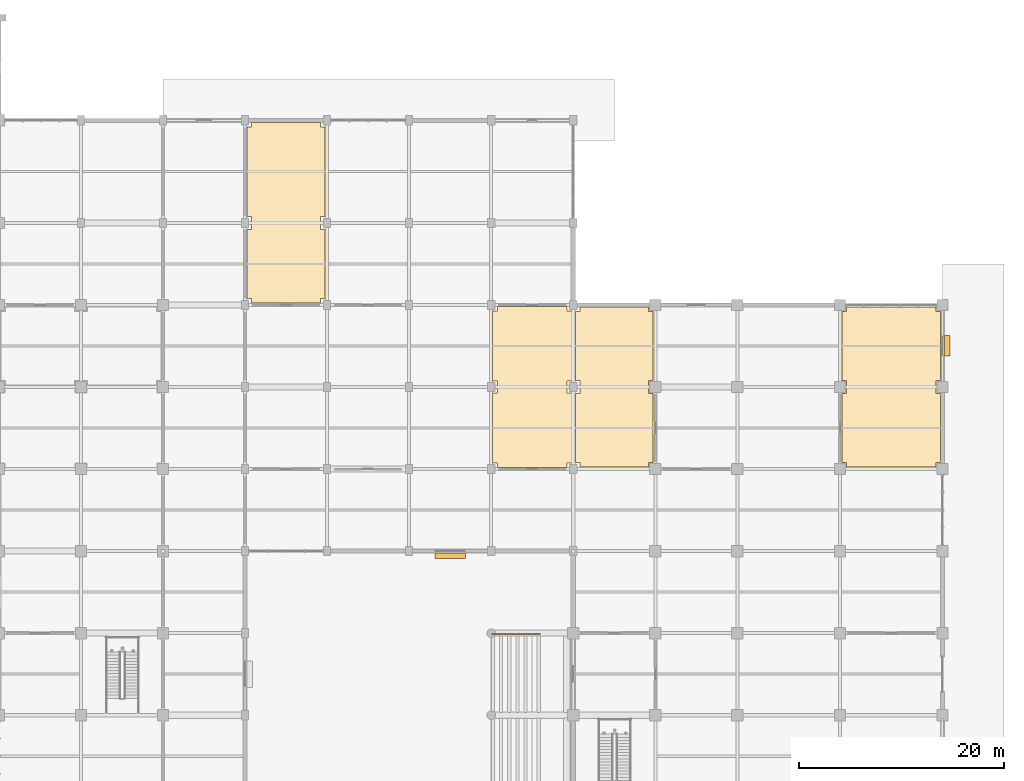
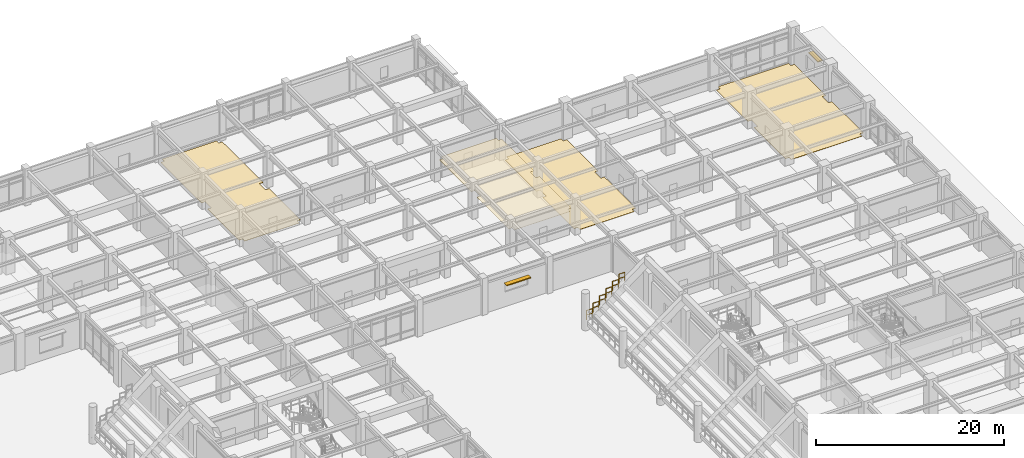
# One storey, part 124 of 125: 6 railings, 4 coverings, 2 shading devices.
"""IFC4 building model written with IfcOpenShell, lengths in metres."""

from ifc_helpers import new_model, si_unit, direction, frame, origin, origin_2d, place, context, subcontext, project, spatial, polyline, rectangle, circle, outline, extrude, material, layer, layer_set, type_object, element, save


model = new_model("IFC4")

# Units and contexts
model_context = context("Model", 3, precision=1e-05, world=origin(), true_north=direction((0.0, 1.0)))
body_context = subcontext(model_context, "Body", "Model", "MODEL_VIEW")
ifc_project = project(units=[si_unit("LENGTHUNIT", "METRE"), si_unit("AREAUNIT", "SQUARE_METRE"), si_unit("VOLUMEUNIT", "CUBIC_METRE"), si_unit("PLANEANGLEUNIT", "RADIAN"), si_unit("MASSUNIT", "GRAM", prefix="KILO")], contexts=[model_context])

# Site, building, storey
site_placement = place(None, origin())
site = spatial("IfcSite", under=ifc_project, at=site_placement, CompositionType="ELEMENT")
building_placement = place(site_placement, origin())
building = spatial("IfcBuilding", under=site, at=building_placement, Name="Haebicheon Civic Stadium", CompositionType="ELEMENT")
storey_placement = place(building_placement, origin())
storey = spatial("IfcBuildingStorey", under=building, at=storey_placement, Name="L01", CompositionType="ELEMENT", Elevation=0.0)

# Coverings
ifc_material_1 = material(Name="Perforated mineral-fibre acoustic board", Category="gypsum")
ifc_layer_1 = layer(ifc_material_1, 0.0400390625, Name="Perforated mineral-fibre acoustic board")
ifc_layer_set_1 = layer_set([ifc_layer_1], Name="Perforated mineral-fibre acoustic board")
covering_type_1 = type_object("IfcCoveringType", Name="COV-CLG-AC", PredefinedType="CEILING", material=ifc_layer_set_1)
covering_1_placement = place(storey_placement, frame((0.0, 0.0, 2.81005859375)))
element("IfcCovering", 1, at=covering_1_placement, inside=storey, type_object=covering_type_1, material=ifc_layer_set_1, Name="L01 Main Spectator Concourse acoustic ceiling", PredefinedType="CEILING", context=body_context, shape_type="SweptSolid", body=[
    extrude(outline(polyline([(192.594970703125, 144.14501953125), (192.594970703125, 144.594970703125), (192.14501953125, 144.594970703125), (192.14501953125, 151.405029296875), (192.594970703125, 151.405029296875), (192.594970703125, 152.594970703125), (192.14501953125, 152.594970703125), (192.14501953125, 159.405029296875), (192.594970703125, 159.405029296875), (192.594970703125, 159.85498046875), (199.405029296875, 159.85498046875), (199.405029296875, 159.405029296875), (199.85498046875, 159.405029296875), (199.85498046875, 152.594970703125), (199.405029296875, 152.594970703125), (199.405029296875, 151.405029296875), (199.85498046875, 151.405029296875), (199.85498046875, 144.594970703125), (199.405029296875, 144.594970703125), (199.405029296875, 144.14501953125), (192.594970703125, 144.14501953125)])), origin(), (0.0, 0.0, 1.0), 0.0400390625),
])
ifc_material_2 = material(Name="Quartz epoxy resin mortar", Category="concrete")
ifc_layer_2 = layer(ifc_material_2, 0.030029296875, Name="Quartz epoxy resin mortar")
ifc_layer_set_2 = layer_set([ifc_layer_2], Name="Quartz epoxy resin mortar")
covering_type_2 = type_object("IfcCoveringType", Name="COV-FLR-EPX", PredefinedType="FLOORING", material=ifc_layer_set_2)
covering_2_placement = place(storey_placement, origin())
element("IfcCovering", 2, at=covering_2_placement, inside=storey, type_object=covering_type_2, material=ifc_layer_set_2, Name="L01 Community Athletics Reception non-slip floor finish", PredefinedType="FLOORING", context=body_context, shape_type="SweptSolid", body=[
    extrude(outline(polyline([(200.64990234375, 144.199951171875), (200.64990234375, 144.64990234375), (200.199951171875, 144.64990234375), (200.199951171875, 151.35009765625), (200.64990234375, 151.35009765625), (200.64990234375, 152.64990234375), (200.199951171875, 152.64990234375), (200.199951171875, 159.35009765625), (200.64990234375, 159.35009765625), (200.64990234375, 159.800048828125), (207.35009765625, 159.800048828125), (207.35009765625, 159.35009765625), (207.800048828125, 159.35009765625), (207.800048828125, 152.64990234375), (207.35009765625, 152.64990234375), (207.35009765625, 151.35009765625), (207.800048828125, 151.35009765625), (207.800048828125, 144.64990234375), (207.35009765625, 144.64990234375), (207.35009765625, 144.199951171875), (200.64990234375, 144.199951171875)])), origin(), (0.0, 0.0, 1.0), 0.030029296875),
])
covering_3_placement = place(storey_placement, origin())
element("IfcCovering", 3, at=covering_3_placement, inside=storey, type_object=covering_type_2, material=ifc_layer_set_2, Name="L01 Sports Medicine Clinic non-slip floor finish", PredefinedType="FLOORING", context=body_context, shape_type="SweptSolid", body=[
    extrude(outline(polyline([(226.64990234375, 144.199951171875), (226.64990234375, 144.64990234375), (226.199951171875, 144.64990234375), (226.199951171875, 151.35009765625), (226.64990234375, 151.35009765625), (226.64990234375, 152.64990234375), (226.199951171875, 152.64990234375), (226.199951171875, 159.35009765625), (226.64990234375, 159.35009765625), (226.64990234375, 159.800048828125), (235.35009765625, 159.800048828125), (235.35009765625, 159.35009765625), (235.800048828125, 159.35009765625), (235.800048828125, 152.64990234375), (235.35009765625, 152.64990234375), (235.35009765625, 151.35009765625), (235.800048828125, 151.35009765625), (235.800048828125, 144.64990234375), (235.35009765625, 144.64990234375), (235.35009765625, 144.199951171875), (226.64990234375, 144.199951171875)])), origin(), (0.0, 0.0, 1.0), 0.030029296875),
])
covering_4_placement = place(storey_placement, origin())
element("IfcCovering", 4, at=covering_4_placement, inside=storey, type_object=covering_type_2, material=ifc_layer_set_2, Name="L01 Civic Sports Exhibition Gallery non-slip floor finish", PredefinedType="FLOORING", context=body_context, shape_type="SweptSolid", body=[
    extrude(outline(polyline([(168.64990234375, 160.199951171875), (168.64990234375, 160.64990234375), (168.199951171875, 160.64990234375), (168.199951171875, 167.35009765625), (168.64990234375, 167.35009765625), (168.64990234375, 168.64990234375), (168.199951171875, 168.64990234375), (168.199951171875, 177.35009765625), (168.64990234375, 177.35009765625), (168.64990234375, 177.800048828125), (175.35009765625, 177.800048828125), (175.35009765625, 177.35009765625), (175.800048828125, 177.35009765625), (175.800048828125, 168.64990234375), (175.35009765625, 168.64990234375), (175.35009765625, 167.35009765625), (175.800048828125, 167.35009765625), (175.800048828125, 160.64990234375), (175.35009765625, 160.64990234375), (175.35009765625, 160.199951171875), (168.64990234375, 160.199951171875)])), origin(), (0.0, 0.0, 1.0), 0.030029296875),
])

# Railings
ifc_material_3 = material(Name="Stainless steel 316 and laminated glass", Category="steel")
railing_type = type_object("IfcRailingType", Name="RL-BAL-1200", PredefinedType="BALUSTRADE", material=ifc_material_3)
for number, where, name in (
    (5, (192.0400390625, 127.89990234375, 1.199951171875), "TIER-C-L end-aisle side guard N.1"),
    (6, (192.840087890625, 127.89990234375, 1.866943359375), "TIER-C-L end-aisle side guard N.2"),
):
    element("IfcRailing", number, at=place(storey_placement, frame(where)), inside=storey, type_object=railing_type, material=ifc_material_3, Name=name, PredefinedType="BALUSTRADE", context=body_context, shape_type="SweptSolid", body=[
        extrude(circle(Radius=0.02392578125, at=origin_2d()), frame((0.0, 0.0, 1.17578125), z_axis=(1.0, 0.0, 0.0), x_axis=(0.0, 1.0, 0.0)), (0.0, 0.0, 1.0), 0.719970703125),
        extrude(circle(Radius=0.02392578125, at=origin_2d()), frame((0.0, 0.0, 0.60009765625), z_axis=(1.0, 0.0, 0.0), x_axis=(0.0, 1.0, 0.0)), (0.0, 0.0, 1.0), 0.719970703125),
        extrude(circle(Radius=0.02099609375, at=origin_2d()), origin(), (0.0, 0.0, 1.0), 1.15185546875),
        extrude(circle(Radius=0.02099609375, at=origin_2d()), frame((0.719970703125, 0.0, 0.0)), (0.0, 0.0, 1.0), 1.15185546875),
    ])
railing_placement = place(storey_placement, frame((193.639892578125, 127.89990234375, 2.532958984375)))
element("IfcRailing", 7, at=railing_placement, inside=storey, type_object=railing_type, material=ifc_material_3, Name="TIER-C-L end-aisle side guard N.3", PredefinedType="BALUSTRADE", context=body_context, shape_type="SweptSolid", body=[
    extrude(circle(Radius=0.02392578125, at=origin_2d()), frame((0.0, 0.0, 1.17578125), z_axis=(1.0, 0.0, 0.0), x_axis=(0.0, 1.0, 0.0)), (0.0, 0.0, 1.0), 0.72021484375),
    extrude(circle(Radius=0.02392578125, at=origin_2d()), frame((0.0, 0.0, 0.60009765625), z_axis=(1.0, 0.0, 0.0), x_axis=(0.0, 1.0, 0.0)), (0.0, 0.0, 1.0), 0.72021484375),
    extrude(circle(Radius=0.02099609375, at=origin_2d()), origin(), (0.0, 0.0, 1.0), 1.15185546875),
    extrude(circle(Radius=0.02099609375, at=origin_2d()), frame((0.72021484375, 0.0, 0.0)), (0.0, 0.0, 1.0), 1.15185546875),
])
for number, where, name in (
    (8, (194.43994140625, 127.89990234375, 3.199951171875), "TIER-C-L end-aisle side guard N.4"),
    (9, (195.239990234375, 127.89990234375, 3.866943359375), "TIER-C-L end-aisle side guard N.5"),
    (10, (196.0400390625, 127.89990234375, 4.532958984375), "TIER-C-L end-aisle side guard N.6"),
):
    element("IfcRailing", number, at=place(storey_placement, frame(where)), inside=storey, type_object=railing_type, material=ifc_material_3, Name=name, PredefinedType="BALUSTRADE", context=body_context, shape_type="SweptSolid", body=[
        extrude(circle(Radius=0.02392578125, at=origin_2d()), frame((0.0, 0.0, 1.17578125), z_axis=(1.0, 0.0, 0.0), x_axis=(0.0, 1.0, 0.0)), (0.0, 0.0, 1.0), 0.719970703125),
        extrude(circle(Radius=0.02392578125, at=origin_2d()), frame((0.0, 0.0, 0.60009765625), z_axis=(1.0, 0.0, 0.0), x_axis=(0.0, 1.0, 0.0)), (0.0, 0.0, 1.0), 0.719970703125),
        extrude(circle(Radius=0.02099609375, at=origin_2d()), origin(), (0.0, 0.0, 1.0), 1.15185546875),
        extrude(circle(Radius=0.02099609375, at=origin_2d()), frame((0.719970703125, 0.0, 0.0)), (0.0, 0.0, 1.0), 1.15185546875),
    ])

# Shading devices
ifc_material_4 = material(Name="Anodised aluminium 6063-T6", Category="aluminium")
ifc_layer_3 = layer(ifc_material_4, 0.1201171875, Name="Anodised aluminium 6063-T6")
ifc_layer_set_3 = layer_set([ifc_layer_3], Name="Anodised aluminium 6063-T6")
shading_device_type = type_object("IfcShadingDeviceType", Name="SHD-ALU-LVR", PredefinedType="USERDEFINED", material=ifc_layer_set_3)
shading_device_1_placement = place(storey_placement, frame((188.0, 135.544921875, 3.02001953125), z_axis=(0.0, 0.0, 1.0), x_axis=(1.0, 0.0, 0.0)))
element("IfcShadingDevice", 11, at=shading_device_1_placement, inside=storey, type_object=shading_device_type, material=ifc_layer_set_3, Name="L01 window sunshade louvre hood 09", ObjectType="LOUVRE", PredefinedType="USERDEFINED", context=body_context, shape_type="SweptSolid", body=[
    extrude(rectangle(XDim=3.0, YDim=0.550048828125, at=origin_2d()), origin(), (0.0, 0.0, 1.0), 0.1201171875),
])
shading_device_2_placement = place(storey_placement, frame((236.455078125, 156.0, 2.77001953125), z_axis=(0.0, 0.0, 1.0), x_axis=(1.0, 0.0, 0.0)))
element("IfcShadingDevice", 12, at=shading_device_2_placement, inside=storey, type_object=shading_device_type, material=ifc_layer_set_3, Name="L01 window sunshade louvre hood 10", ObjectType="LOUVRE", PredefinedType="USERDEFINED", context=body_context, shape_type="SweptSolid", body=[
    extrude(rectangle(XDim=0.550048828125, YDim=2.0, at=origin_2d()), origin(), (0.0, 0.0, 1.0), 0.1201171875),
])

save(model, "model.ifc")
